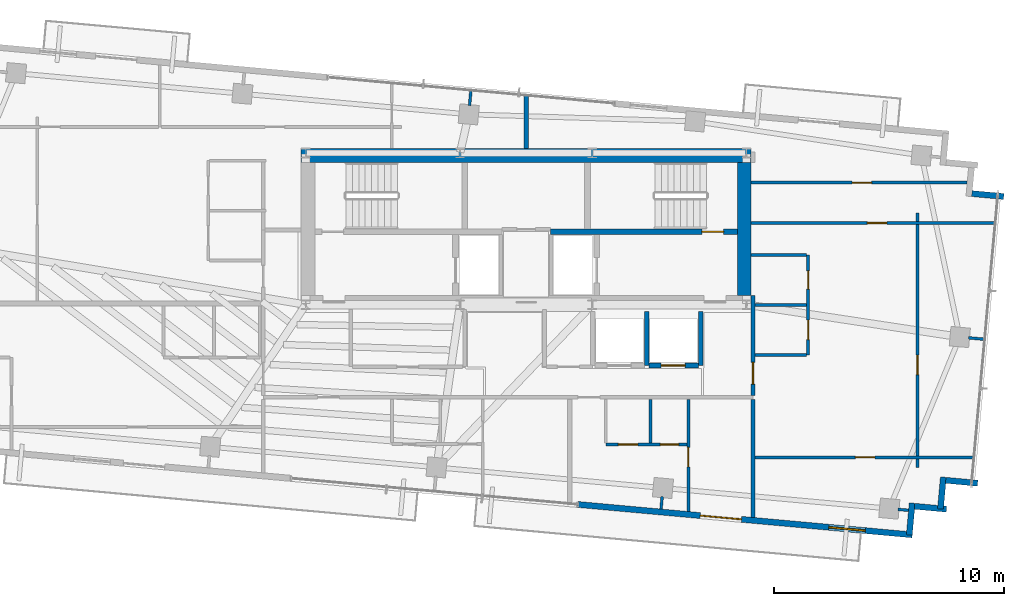
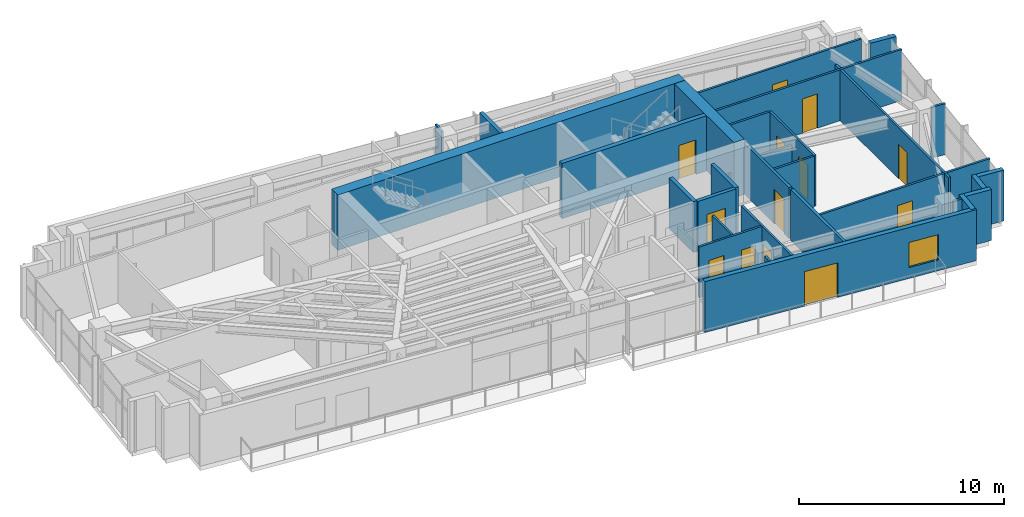
# One storey, part 18 of 22: 32 walls, 13 doors, 1 window, 14 openings.
"""IFC4 building model written with IfcOpenShell, lengths in metres."""

from ifc_helpers import new_model, si_unit, direction, frame, frame_2d, origin, place, context, subcontext, project, spatial, rectangle, extrude, source, transform, mapped, material, layer, layer_set, type_object, type_shapes, element, fill, save


model = new_model("IFC4")

# Units and contexts
model_context = context("Model", 3, precision=1e-05, world=origin(), true_north=direction((0.0, 1.0)))
body_context = subcontext(model_context, "Body", "Model", "MODEL_VIEW")
ifc_project = project(units=[si_unit("LENGTHUNIT", "METRE"), si_unit("AREAUNIT", "SQUARE_METRE"), si_unit("VOLUMEUNIT", "CUBIC_METRE"), si_unit("PLANEANGLEUNIT", "RADIAN"), si_unit("MASSUNIT", "GRAM", prefix="KILO")], contexts=[model_context])

# Site, building, storey
site_placement = place(None, origin())
site = spatial("IfcSite", under=ifc_project, at=site_placement, CompositionType="ELEMENT")
building_placement = place(site_placement, origin())
building = spatial("IfcBuilding", under=site, at=building_placement, Name="Astriad Promenade Condominiums", CompositionType="ELEMENT")
storey_placement = place(building_placement, frame((0.0, 0.0, 229.800048828125)))
storey = spatial("IfcBuildingStorey", under=building, at=storey_placement, Name="L66", CompositionType="ELEMENT", Elevation=229.800048828125)

# Walls
ifc_material_1 = material(Name="Concrete C50/60", Category="concrete")
ifc_layer_1 = layer(ifc_material_1, 0.60009765625)
ifc_layer_set_1 = layer_set([ifc_layer_1], Name="Concrete C50/60")
wall_type_1 = type_object("IfcWallType", Name="CW-SHEAR-600", PredefinedType="SHEAR", material=ifc_layer_set_1)
wall_1_placement = place(storey_placement, frame((26.199951171875, 23.89990234375, 0.0), z_axis=(0.0, 0.0, 1.0), x_axis=(1.0, 0.0, 0.0)))
element("IfcWall", 1, at=wall_1_placement, inside=storey, type_object=wall_type_1, Name="CW-CORE-N-L66", PredefinedType="SHEAR", context=body_context, shape_type="SweptSolid", body=[
    extrude(rectangle(XDim=19.60009765625, YDim=0.60009765625, at=frame_2d((9.800048828125, 0.0))), origin(), (0.0, 0.0, 1.0), 3.300048828125),
])
wall_2_placement = place(storey_placement, frame((45.5, 17.802001953125, 0.0), z_axis=(0.0, 0.0, 1.0), x_axis=(0.0, 1.0, 0.0)))
element("IfcWall", 2, at=wall_2_placement, inside=storey, type_object=wall_type_1, Name="CW-CORE-E-L66", PredefinedType="SHEAR", context=body_context, shape_type="SweptSolid", body=[
    extrude(rectangle(XDim=5.7958984375, YDim=0.60009765625, at=frame_2d((2.89794921875, 0.0))), origin(), (0.0, 0.0, 1.0), 3.300048828125),
])

# Wall, opening, door
ifc_layer_2 = layer(ifc_material_1, 0.25)
ifc_layer_set_2 = layer_set([ifc_layer_2], Name="Concrete C50/60")
wall_type_2 = type_object("IfcWallType", Name="WALL-CORE-INT-250", PredefinedType="SOLIDWALL", material=ifc_layer_set_2)
wall_3_placement = place(storey_placement, frame((37.050048828125, 20.574951171875, 0.0), z_axis=(0.0, 0.0, 1.0), x_axis=(1.0, 0.0, 0.0)))
wall_3 = element("IfcWall", 3, at=wall_3_placement, inside=storey, type_object=wall_type_2, Name="CW-INT-H2-L66", PredefinedType="SOLIDWALL", context=body_context, shape_type="SweptSolid", body=[
    extrude(rectangle(XDim=8.14794921875, YDim=0.25, at=frame_2d((4.073974609375, 0.0))), origin(), (0.0, 0.0, 1.0), 3.300048828125),
])
opening_1_placement = place(wall_3_placement, frame((6.60009765625, 0.0, 0.0)))
opening_1 = element("IfcOpeningElement", 4, at=opening_1_placement, cuts=wall_3, Name="Opening FD90-ST-095", PredefinedType="OPENING", context=body_context, shape_type="SweptSolid", body=[
    extrude(rectangle(XDim=0.949951171875, YDim=2.06005859375, at=frame_2d((0.47509765625, 1.030029296875))), frame((0.0, 0.135009765625, 0.0), z_axis=(0.0, -1.0, 0.0), x_axis=(1.0, 0.0, 0.0)), (0.0, 0.0, 1.0), 0.27001953125),
])
ifc_material_2 = material(Name="Fire-Rated Hollow Metal Stair Door")
door_type_1 = type_object("IfcDoorType", Name="FD90-ST-095", OperationType="NOTDEFINED", PredefinedType="DOOR", material=ifc_material_2)
shared_shape_1 = source(origin(), body_context, "Body", "SweptSolid", [
    extrude(rectangle(XDim=0.949951171875, YDim=2.06005859375, at=frame_2d((0.47509765625, 1.030029296875))), frame((0.0, 0.02490234375, 0.0), z_axis=(0.0, -1.0, 0.0), x_axis=(1.0, 0.0, 0.0)), (0.0, 0.0, 1.0), 0.050048828125),
])
type_shapes(door_type_1, [shared_shape_1])
door_1_placement = place(opening_1_placement, origin())
door_1 = element("IfcDoor", 5, at=door_1_placement, inside=storey, type_object=door_type_1, Name="D-ST2-L66", OperationType="SINGLE_SWING_LEFT", OverallHeight=2.06005859375, OverallWidth=0.949951171875, PredefinedType="DOOR", context=body_context, shape_type="MappedRepresentation", body=[
    mapped(shared_shape_1, transform((0.0, 0.0, 0.0), scale=1.0)),
])
fill(opening_1, door_1)

# Wall
ifc_material_3 = material(Name="Fire-Rated Gypsum Partition")
ifc_layer_3 = layer(ifc_material_3, 0.159912109375)
ifc_layer_set_3 = layer_set([ifc_layer_3], Name="Fire-Rated Gypsum Partition")
wall_type_3 = type_object("IfcWallType", Name="WALL-CORR-160", PredefinedType="PARTITIONING", material=ifc_layer_set_3)
wall_4_placement = place(storey_placement, frame((45.8798828125, 8.135986328125, 0.0), z_axis=(0.0, 0.0, 1.0), x_axis=(0.0, 1.0, 0.0)))
element("IfcWall", 6, at=wall_4_placement, inside=storey, type_object=wall_type_3, Name="PT-COR-E-L66", PredefinedType="PARTITIONING", context=body_context, shape_type="SweptSolid", body=[
    extrude(rectangle(XDim=5.14208984375, YDim=0.159912109375, at=frame_2d((2.571044921875, 0.0))), origin(), (0.0, 0.0, 1.0), 3.0400390625),
])

# Wall, opening, door
wall_5_placement = place(storey_placement, frame((45.8798828125, 13.44189453125, 0.0), z_axis=(0.0, 0.0, 1.0), x_axis=(0.0, 1.0, 0.0)))
wall_5 = element("IfcWall", 7, at=wall_5_placement, inside=storey, type_object=wall_type_3, Name="PT-COR-E-L66-S2", PredefinedType="PARTITIONING", context=body_context, shape_type="SweptSolid", body=[
    extrude(rectangle(XDim=4.360107421875, YDim=0.159912109375, at=frame_2d((2.18017578125, 0.0))), origin(), (0.0, 0.0, 1.0), 3.0400390625),
])
opening_2_placement = place(wall_5_placement, frame((0.492919921875, 0.0, 0.0)))
opening_2 = element("IfcOpeningElement", 8, at=opening_2_placement, cuts=wall_5, Name="Opening FD60-APT-095", PredefinedType="OPENING", context=body_context, shape_type="SweptSolid", body=[
    extrude(rectangle(XDim=0.949951171875, YDim=2.06005859375, at=frame_2d((0.47509765625, 1.030029296875))), frame((0.0, 0.08984375, 0.0), z_axis=(0.0, -1.0, 0.0), x_axis=(1.0, 0.0, 0.0)), (0.0, 0.0, 1.0), 0.179931640625),
])
ifc_material_4 = material(Name="Solid-Core Acoustic Timber Residence Entry Door", Category="wood")
door_type_2 = type_object("IfcDoorType", Name="FD60-APT-095", OperationType="NOTDEFINED", PredefinedType="DOOR", material=ifc_material_4)
shared_shape_2 = source(origin(), body_context, "Body", "SweptSolid", [
    extrude(rectangle(XDim=0.949951171875, YDim=2.06005859375, at=frame_2d((0.47509765625, 1.030029296875))), frame((0.0, 0.02490234375, 0.0), z_axis=(0.0, -1.0, 0.0), x_axis=(1.0, 0.0, 0.0)), (0.0, 0.0, 1.0), 0.050048828125),
])
type_shapes(door_type_2, [shared_shape_2])
door_2_placement = place(opening_2_placement, origin())
door_2 = element("IfcDoor", 9, at=door_2_placement, inside=storey, type_object=door_type_2, Name="D-ENT-L66-E1", OperationType="SINGLE_SWING_LEFT", OverallHeight=2.06005859375, OverallWidth=0.949951171875, PredefinedType="DOOR", context=body_context, shape_type="MappedRepresentation", body=[
    mapped(shared_shape_2, transform((0.0, 0.0, 0.0), scale=1.0)),
])
fill(opening_2, door_2)

# Walls
ifc_material_5 = material(Name="Acoustic Double-Stud Gypsum Partition")
ifc_layer_4 = layer(ifc_material_5, 0.199951171875)
ifc_layer_set_4 = layer_set([ifc_layer_4], Name="Acoustic Double-Stud Gypsum Partition")
wall_type_4 = type_object("IfcWallType", Name="WALL-DEMISING-200", PredefinedType="PARTITIONING", material=ifc_layer_set_4)
wall_6_placement = place(storey_placement, frame((36.0, 24.201904296875, 0.0), z_axis=(0.0, 0.0, 1.0), x_axis=(0.0, 1.0, 0.0)))
element("IfcWall", 10, at=wall_6_placement, inside=storey, type_object=wall_type_4, Name="PT-NC-MID-L66", PredefinedType="PARTITIONING", context=body_context, shape_type="SweptSolid", body=[
    extrude(rectangle(XDim=2.36328125, YDim=0.199951171875, at=frame_2d((1.181640625, 0.0))), origin(), (0.0, 0.0, 1.0), 3.0400390625),
])
ifc_material_6 = material(Name="Precast concrete C50/60", Category="concrete")
ifc_layer_5 = layer(ifc_material_6, 0.260009765625)
ifc_layer_set_5 = layer_set([ifc_layer_5], Name="Precast concrete C50/60")
wall_type_5 = type_object("IfcWallType", Name="WALL-EXT-TWR-260", PredefinedType="STANDARD", material=ifc_layer_set_5)
wall_7_placement = place(storey_placement, frame((55.412109375, 22.238037109375, 0.0), z_axis=(0.0, 0.0, 1.0), x_axis=(0.995883159782, -0.090646191665, 0.0)))
element("IfcWall", 11, at=wall_7_placement, inside=storey, type_object=wall_type_5, Name="W-SER-L66-12", PredefinedType="STANDARD", context=body_context, shape_type="SweptSolid", body=[
    extrude(rectangle(XDim=1.395263671875, YDim=0.260009765625, at=frame_2d((0.69775390625, 0.0))), origin(), (0.0, 0.0, 1.0), 3.0400390625),
])
for number, where, z_axis, x_axis, name in (
    (12, (55.664794921875, 9.623291015625, 0.0), (0.0, 0.0, 1.0), (-0.995881721538, 0.090661991521, 0.0), "W-SER-L66-14"),
    (13, (54.1728515625, 9.889404296875, 0.0), (0.0, 0.0, 1.0), (-0.090661991521, -0.995881721538, 0.0), "W-SER-L66-15"),
):
    element("IfcWall", number, at=place(storey_placement, frame(where, z_axis=z_axis, x_axis=x_axis)), inside=storey, type_object=wall_type_5, Name=name, PredefinedType="STANDARD", context=body_context, shape_type="SweptSolid", body=[
        extrude(rectangle(XDim=1.39501953125, YDim=0.260009765625, at=frame_2d((0.697509765625, 0.0))), origin(), (0.0, 0.0, 1.0), 3.0400390625),
    ])
for number, where, z_axis, x_axis, name in (
    (14, (54.306884765625, 8.49169921875, 0.0), (0.0, 0.0, 1.0), (-0.995883159782, 0.090646191665, 0.0), "W-SER-L66-16"),
    (15, (52.814697265625, 8.758056640625, 0.0), (0.0, 0.0, 1.0), (-0.090646191665, -0.995883159782, 0.0), "W-SER-L66-17"),
):
    element("IfcWall", number, at=place(storey_placement, frame(where, z_axis=z_axis, x_axis=x_axis)), inside=storey, type_object=wall_type_5, Name=name, PredefinedType="STANDARD", context=body_context, shape_type="SweptSolid", body=[
        extrude(rectangle(XDim=1.395263671875, YDim=0.260009765625, at=frame_2d((0.69775390625, 0.0))), origin(), (0.0, 0.0, 1.0), 3.0400390625),
    ])

# Wall, openings, door, window
wall_8_placement = place(storey_placement, frame((52.819091796875, 7.371826171875, 0.0), z_axis=(0.0, 0.0, 1.0), x_axis=(-0.995884447498, 0.090632043071, 0.0)))
wall_8 = element("IfcWall", 16, at=wall_8_placement, inside=storey, type_object=wall_type_5, Name="W-EXT-L66-S1", PredefinedType="STANDARD", context=body_context, shape_type="SweptSolid", body=[
    extrude(rectangle(XDim=14.6298828125, YDim=0.260009765625, at=frame_2d((7.31494140625, 0.0))), origin(), (0.0, 0.0, 1.0), 3.0400390625),
])
opening_3_placement = place(wall_8_placement, frame((7.470947265625, 0.0, 0.0)))
opening_3 = element("IfcOpeningElement", 17, at=opening_3_placement, cuts=wall_8, Name="Opening BD-1822-SLD", PredefinedType="OPENING", context=body_context, shape_type="SweptSolid", body=[
    extrude(rectangle(XDim=1.800048828125, YDim=2.06005859375, at=frame_2d((0.89990234375, 1.030029296875))), frame((0.0, 0.139892578125, 0.0), z_axis=(0.0, -1.0, 0.0), x_axis=(1.0, 0.0, 0.0)), (0.0, 0.0, 1.0), 0.280029296875),
])
opening_4_placement = place(wall_8_placement, frame((2.050048828125, 0.0, 0.64990234375)))
opening_4 = element("IfcOpeningElement", 18, at=opening_4_placement, cuts=wall_8, Name="Opening WIN-TWR-1620", PredefinedType="OPENING", context=body_context, shape_type="SweptSolid", body=[
    extrude(rectangle(XDim=1.60009765625, YDim=1.5, at=frame_2d((0.800048828125, 0.75))), frame((0.0, 0.139892578125, 0.0), z_axis=(0.0, -1.0, 0.0), x_axis=(1.0, 0.0, 0.0)), (0.0, 0.0, 1.0), 0.280029296875),
])
ifc_material_7 = material(Name="Thermally Broken Aluminium Sliding Balcony Door", Category="aluminium")
door_type_3 = type_object("IfcDoorType", Name="BD-1822-SLD", OperationType="NOTDEFINED", PredefinedType="DOOR", material=ifc_material_7)
shared_shape_3 = source(origin(), body_context, "Body", "SweptSolid", [
    extrude(rectangle(XDim=1.800048828125, YDim=2.06005859375, at=frame_2d((0.89990234375, 1.030029296875))), frame((0.0, 0.02490234375, 0.0), z_axis=(0.0, -1.0, 0.0), x_axis=(1.0, 0.0, 0.0)), (0.0, 0.0, 1.0), 0.050048828125),
])
type_shapes(door_type_3, [shared_shape_3])
door_3_placement = place(opening_3_placement, origin())
door_3 = element("IfcDoor", 19, at=door_3_placement, inside=storey, type_object=door_type_3, Name="BD-L66-SE", OperationType="SLIDING_TO_RIGHT", OverallHeight=2.06005859375, OverallWidth=1.800048828125, PredefinedType="DOOR", context=body_context, shape_type="MappedRepresentation", body=[
    mapped(shared_shape_3, transform((0.0, 0.0, 0.0), scale=1.0)),
])
fill(opening_3, door_3)
ifc_material_8 = material(Name="Dark Tinted Triple-Glazed Aluminium Window", Category="aluminium")
window_type = type_object("IfcWindowType", Name="WIN-TWR-1620", PartitioningType="SINGLE_PANEL", PredefinedType="WINDOW", material=ifc_material_8)
shared_shape_4 = source(origin(), body_context, "Body", "SweptSolid", [
    extrude(rectangle(XDim=1.60009765625, YDim=1.5, at=frame_2d((0.800048828125, 0.75))), frame((0.0, 0.030029296875, 0.0), z_axis=(0.0, -1.0, 0.0), x_axis=(1.0, 0.0, 0.0)), (0.0, 0.0, 1.0), 0.06005859375),
])
type_shapes(window_type, [shared_shape_4])
window_placement = place(opening_4_placement, origin())
window = element("IfcWindow", 20, at=window_placement, inside=storey, type_object=window_type, Name="WIN-L66-SE", OverallHeight=1.5, OverallWidth=1.60009765625, PartitioningType="SINGLE_PANEL", PredefinedType="WINDOW", context=body_context, shape_type="MappedRepresentation", body=[
    mapped(shared_shape_4, transform((0.0, 0.0, 0.0), scale=1.0)),
])
fill(opening_4, window)

# Wall, opening, door
ifc_material_9 = material(Name="Acoustic Metal-Stud Gypsum Partition")
ifc_layer_6 = layer(ifc_material_9, 0.1201171875)
ifc_layer_set_6 = layer_set([ifc_layer_6], Name="Acoustic Metal-Stud Gypsum Partition")
wall_type_6 = type_object("IfcWallType", Name="WALL-PART-120", PredefinedType="PARTITIONING", material=ifc_layer_set_6)
wall_9_placement = place(storey_placement, frame((43.068115234375, 8.391845703125, 0.0), z_axis=(0.0, 0.0, 1.0), x_axis=(0.0, 1.0, 0.0)))
wall_9 = element("IfcWall", 21, at=wall_9_placement, inside=storey, type_object=wall_type_6, Name="PT-L66-S2-V1", PredefinedType="PARTITIONING", context=body_context, shape_type="SweptSolid", body=[
    extrude(rectangle(XDim=4.88623046875, YDim=0.1201171875, at=frame_2d((2.443115234375, 0.0))), origin(), (0.0, 0.0, 1.0), 3.0400390625),
])
opening_5_placement = place(wall_9_placement, frame((1.93994140625, 0.0, 0.0)))
opening_5 = element("IfcOpeningElement", 22, at=opening_5_placement, cuts=wall_9, Name="Opening D-INT-085", PredefinedType="OPENING", context=body_context, shape_type="SweptSolid", body=[
    extrude(rectangle(XDim=0.85009765625, YDim=2.050048828125, at=frame_2d((0.425048828125, 1.02490234375))), frame((0.0, 0.070068359375, 0.0), z_axis=(0.0, -1.0, 0.0), x_axis=(1.0, 0.0, 0.0)), (0.0, 0.0, 1.0), 0.14013671875),
])
ifc_material_10 = material(Name="Painted Solid-Core Timber Room Door", Category="wood")
door_type_4 = type_object("IfcDoorType", Name="D-INT-085", OperationType="NOTDEFINED", PredefinedType="DOOR", material=ifc_material_10)
shared_shape_5 = source(origin(), body_context, "Body", "SweptSolid", [
    extrude(rectangle(XDim=0.85009765625, YDim=2.050048828125, at=frame_2d((0.425048828125, 1.02490234375))), frame((0.0, 0.02490234375, 0.0), z_axis=(0.0, -1.0, 0.0), x_axis=(1.0, 0.0, 0.0)), (0.0, 0.0, 1.0), 0.050048828125),
])
type_shapes(door_type_4, [shared_shape_5])
door_4_placement = place(opening_5_placement, origin())
door_4 = element("IfcDoor", 23, at=door_4_placement, inside=storey, type_object=door_type_4, Name="D-BD1-L66-S2", OperationType="SINGLE_SWING_RIGHT", OverallHeight=2.050048828125, OverallWidth=0.85009765625, PredefinedType="DOOR", context=body_context, shape_type="MappedRepresentation", body=[
    mapped(shared_shape_5, transform((0.0, 0.0, 0.0), scale=1.0)),
])
fill(opening_5, door_4)

# Wall, openings, doors
wall_10_placement = place(storey_placement, frame((39.468017578125, 11.31005859375, 0.0), z_axis=(0.0, 0.0, 1.0), x_axis=(1.0, 0.0, 0.0)))
wall_10 = element("IfcWall", 24, at=wall_10_placement, inside=storey, type_object=wall_type_6, Name="PT-L66-S2-PS", PredefinedType="PARTITIONING", context=body_context, shape_type="SweptSolid", body=[
    extrude(rectangle(XDim=3.5380859375, YDim=0.1201171875, at=frame_2d((1.76904296875, 0.0))), origin(), (0.0, 0.0, 1.0), 3.0400390625),
])
opening_6_placement = place(wall_10_placement, frame((0.550048828125, 0.0, 0.0)))
opening_6 = element("IfcOpeningElement", 25, at=opening_6_placement, cuts=wall_10, Name="Opening D-INT-085", PredefinedType="OPENING", context=body_context, shape_type="SweptSolid", body=[
    extrude(rectangle(XDim=0.85009765625, YDim=2.050048828125, at=frame_2d((0.425048828125, 1.02490234375))), frame((0.0, 0.070068359375, 0.0), z_axis=(0.0, -1.0, 0.0), x_axis=(1.0, 0.0, 0.0)), (0.0, 0.0, 1.0), 0.14013671875),
])
opening_7_placement = place(wall_10_placement, frame((2.375, 0.0, 0.0)))
opening_7 = element("IfcOpeningElement", 26, at=opening_7_placement, cuts=wall_10, Name="Opening D-WET-080", PredefinedType="OPENING", context=body_context, shape_type="SweptSolid", body=[
    extrude(rectangle(XDim=0.800048828125, YDim=2.02001953125, at=frame_2d((0.39990234375, 1.010009765625))), frame((0.0, 0.070068359375, 0.0), z_axis=(0.0, -1.0, 0.0), x_axis=(1.0, 0.0, 0.0)), (0.0, 0.0, 1.0), 0.14013671875),
])
ifc_material_11 = material(Name="Moisture-Resistant Timber Bathroom Door", Category="wood")
door_type_5 = type_object("IfcDoorType", Name="D-WET-080", OperationType="NOTDEFINED", PredefinedType="DOOR", material=ifc_material_11)
shared_shape_6 = source(origin(), body_context, "Body", "SweptSolid", [
    extrude(rectangle(XDim=0.800048828125, YDim=2.02001953125, at=frame_2d((0.39990234375, 1.010009765625))), frame((0.0, 0.02490234375, 0.0), z_axis=(0.0, -1.0, 0.0), x_axis=(1.0, 0.0, 0.0)), (0.0, 0.0, 1.0), 0.050048828125),
])
type_shapes(door_type_5, [shared_shape_6])
door_5_placement = place(opening_7_placement, origin())
door_5 = element("IfcDoor", 27, at=door_5_placement, inside=storey, type_object=door_type_5, Name="D-BTH-L66-S2", OperationType="SINGLE_SWING_RIGHT", OverallHeight=2.02001953125, OverallWidth=0.800048828125, PredefinedType="DOOR", context=body_context, shape_type="MappedRepresentation", body=[
    mapped(shared_shape_6, transform((0.0, 0.0, 0.0), scale=1.0)),
])
fill(opening_7, door_5)
door_6_placement = place(opening_6_placement, origin())
door_6 = element("IfcDoor", 28, at=door_6_placement, inside=storey, type_object=door_type_4, Name="D-KIT-L66-S2", OperationType="SINGLE_SWING_LEFT", OverallHeight=2.050048828125, OverallWidth=0.85009765625, PredefinedType="DOOR", context=body_context, shape_type="MappedRepresentation", body=[
    mapped(shared_shape_5, transform((0.0, 0.0, 0.0), scale=1.0)),
])
fill(opening_6, door_6)

# Wall
wall_11_placement = place(storey_placement, frame((41.41796875, 11.3720703125, 0.0), z_axis=(0.0, 0.0, 1.0), x_axis=(0.0, 1.0, 0.0)))
element("IfcWall", 29, at=wall_11_placement, inside=storey, type_object=wall_type_6, Name="PT-L66-S2-PB", PredefinedType="PARTITIONING", context=body_context, shape_type="SweptSolid", body=[
    extrude(rectangle(XDim=1.906005859375, YDim=0.1201171875, at=frame_2d((0.953125, 0.0))), origin(), (0.0, 0.0, 1.0), 3.0400390625),
])

# Wall, openings, doors
wall_12_placement = place(storey_placement, frame((48.280029296875, 15.2099609375, 0.0), z_axis=(0.0, 0.0, 1.0), x_axis=(0.0, 1.0, 0.0)))
wall_12 = element("IfcWall", 30, at=wall_12_placement, inside=storey, type_object=wall_type_6, Name="PT-L66-E1-PV", PredefinedType="PARTITIONING", context=body_context, shape_type="SweptSolid", body=[
    extrude(rectangle(XDim=4.35009765625, YDim=0.1201171875, at=frame_2d((2.175048828125, 0.0))), origin(), (0.0, 0.0, 1.0), 3.0400390625),
])
opening_8_placement = place(wall_12_placement, frame((0.662109375, 0.0, 0.0)))
opening_8 = element("IfcOpeningElement", 31, at=opening_8_placement, cuts=wall_12, Name="Opening D-INT-085", PredefinedType="OPENING", context=body_context, shape_type="SweptSolid", body=[
    extrude(rectangle(XDim=0.85009765625, YDim=2.050048828125, at=frame_2d((0.425048828125, 1.02490234375))), frame((0.0, 0.070068359375, 0.0), z_axis=(0.0, -1.0, 0.0), x_axis=(1.0, 0.0, 0.0)), (0.0, 0.0, 1.0), 0.14013671875),
])
opening_9_placement = place(wall_12_placement, frame((2.863037109375, 0.0, 0.0)))
opening_9 = element("IfcOpeningElement", 32, at=opening_9_placement, cuts=wall_12, Name="Opening D-WET-080", PredefinedType="OPENING", context=body_context, shape_type="SweptSolid", body=[
    extrude(rectangle(XDim=0.800048828125, YDim=2.02001953125, at=frame_2d((0.39990234375, 1.010009765625))), frame((0.0, 0.070068359375, 0.0), z_axis=(0.0, -1.0, 0.0), x_axis=(1.0, 0.0, 0.0)), (0.0, 0.0, 1.0), 0.14013671875),
])
door_7_placement = place(opening_9_placement, origin())
door_7 = element("IfcDoor", 33, at=door_7_placement, inside=storey, type_object=door_type_5, Name="D-BTH-L66-E1", OperationType="SINGLE_SWING_LEFT", OverallHeight=2.02001953125, OverallWidth=0.800048828125, PredefinedType="DOOR", context=body_context, shape_type="MappedRepresentation", body=[
    mapped(shared_shape_6, transform((0.0, 0.0, 0.0), scale=1.0)),
])
fill(opening_9, door_7)
door_8_placement = place(opening_8_placement, origin())
door_8 = element("IfcDoor", 34, at=door_8_placement, inside=storey, type_object=door_type_4, Name="D-KIT-L66-E1", OperationType="SINGLE_SWING_RIGHT", OverallHeight=2.050048828125, OverallWidth=0.85009765625, PredefinedType="DOOR", context=body_context, shape_type="MappedRepresentation", body=[
    mapped(shared_shape_5, transform((0.0, 0.0, 0.0), scale=1.0)),
])
fill(opening_8, door_8)

# Walls
wall_13_placement = place(storey_placement, frame((45.9619140625, 17.385009765625, 0.0), z_axis=(0.0, 0.0, 1.0), x_axis=(1.0, 0.0, 0.0)))
element("IfcWall", 35, at=wall_13_placement, inside=storey, type_object=wall_type_6, Name="PT-L66-E1-PM", PredefinedType="PARTITIONING", context=body_context, shape_type="SweptSolid", body=[
    extrude(rectangle(XDim=2.256103515625, YDim=0.1201171875, at=frame_2d((1.1279296875, 0.0))), origin(), (0.0, 0.0, 1.0), 2.38134765625),
])
wall_14_placement = place(storey_placement, frame((45.9619140625, 15.2099609375, 0.0), z_axis=(0.0, 0.0, 1.0), x_axis=(1.0, 0.0, 0.0)))
element("IfcWall", 36, at=wall_14_placement, inside=storey, type_object=wall_type_6, Name="PT-L66-E1-PS", PredefinedType="PARTITIONING", context=body_context, shape_type="SweptSolid", body=[
    extrude(rectangle(XDim=2.256103515625, YDim=0.1201171875, at=frame_2d((1.1279296875, 0.0))), origin(), (0.0, 0.0, 1.0), 3.0400390625),
])
wall_15_placement = place(storey_placement, frame((45.802001953125, 19.56005859375, 0.0), z_axis=(0.0, 0.0, 1.0), x_axis=(1.0, 0.0, 0.0)))
element("IfcWall", 37, at=wall_15_placement, inside=storey, type_object=wall_type_6, Name="PT-L66-E1-PN", PredefinedType="PARTITIONING", context=body_context, shape_type="SweptSolid", body=[
    extrude(rectangle(XDim=2.416015625, YDim=0.1201171875, at=frame_2d((1.2080078125, 0.0))), origin(), (0.0, 0.0, 1.0), 3.0400390625),
])

# Wall, opening, door
wall_16_placement = place(storey_placement, frame((45.802001953125, 22.717041015625, 0.0), z_axis=(0.0, 0.0, 1.0), x_axis=(1.0, 0.0, 0.0)))
wall_16 = element("IfcWall", 38, at=wall_16_placement, inside=storey, type_object=wall_type_6, Name="PT-L66-E1-WDN1", PredefinedType="PARTITIONING", context=body_context, shape_type="SweptSolid", body=[
    extrude(rectangle(XDim=9.40576171875, YDim=0.1201171875, at=frame_2d((4.702880859375, 0.0))), origin(), (0.0, 0.0, 1.0), 3.0400390625),
])
opening_10_placement = place(wall_16_placement, frame((4.39697265625, 0.0, 0.0)))
opening_10 = element("IfcOpeningElement", 39, at=opening_10_placement, cuts=wall_16, Name="Opening D-INT-085", PredefinedType="OPENING", context=body_context, shape_type="SweptSolid", body=[
    extrude(rectangle(XDim=0.85009765625, YDim=2.050048828125, at=frame_2d((0.425048828125, 1.02490234375))), frame((0.0, 0.070068359375, 0.0), z_axis=(0.0, -1.0, 0.0), x_axis=(1.0, 0.0, 0.0)), (0.0, 0.0, 1.0), 0.14013671875),
])
door_9_placement = place(opening_10_placement, origin())
door_9 = element("IfcDoor", 40, at=door_9_placement, inside=storey, type_object=door_type_4, Name="D-WDN1-L66-E1", OperationType="SINGLE_SWING_RIGHT", OverallHeight=2.050048828125, OverallWidth=0.85009765625, PredefinedType="DOOR", context=body_context, shape_type="MappedRepresentation", body=[
    mapped(shared_shape_5, transform((0.0, 0.0, 0.0), scale=1.0)),
])
fill(opening_10, door_9)

wall_17_placement = place(storey_placement, frame((45.9619140625, 10.74609375, 0.0), z_axis=(0.0, 0.0, 1.0), x_axis=(1.0, 0.0, 0.0)))
wall_17 = element("IfcWall", 41, at=wall_17_placement, inside=storey, type_object=wall_type_6, Name="PT-L66-E1-WDS2", PredefinedType="PARTITIONING", context=body_context, shape_type="SweptSolid", body=[
    extrude(rectangle(XDim=9.59423828125, YDim=0.1201171875, at=frame_2d((4.797119140625, 0.0))), origin(), (0.0, 0.0, 1.0), 3.0400390625),
])
opening_11_placement = place(wall_17_placement, frame((4.3779296875, 0.0, 0.0)))
opening_11 = element("IfcOpeningElement", 42, at=opening_11_placement, cuts=wall_17, Name="Opening D-INT-085", PredefinedType="OPENING", context=body_context, shape_type="SweptSolid", body=[
    extrude(rectangle(XDim=0.85009765625, YDim=2.050048828125, at=frame_2d((0.425048828125, 1.02490234375))), frame((0.0, 0.070068359375, 0.0), z_axis=(0.0, -1.0, 0.0), x_axis=(1.0, 0.0, 0.0)), (0.0, 0.0, 1.0), 0.14013671875),
])
door_10_placement = place(opening_11_placement, origin())
door_10 = element("IfcDoor", 43, at=door_10_placement, inside=storey, type_object=door_type_4, Name="D-WDS2-L66-E1", OperationType="SINGLE_SWING_LEFT", OverallHeight=2.050048828125, OverallWidth=0.85009765625, PredefinedType="DOOR", context=body_context, shape_type="MappedRepresentation", body=[
    mapped(shared_shape_5, transform((0.0, 0.0, 0.0), scale=1.0)),
])
fill(opening_11, door_10)

wall_18_placement = place(storey_placement, frame((45.802001953125, 20.9541015625, 0.0), z_axis=(0.0, 0.0, 1.0), x_axis=(1.0, 0.0, 0.0)))
wall_18 = element("IfcWall", 44, at=wall_18_placement, inside=storey, type_object=wall_type_6, Name="PT-L66-E1-WDN3", PredefinedType="PARTITIONING", context=body_context, shape_type="SweptSolid", body=[
    extrude(rectangle(XDim=10.68310546875, YDim=0.1201171875, at=frame_2d((5.341552734375, 0.0))), origin(), (0.0, 0.0, 1.0), 3.0400390625),
])
opening_12_placement = place(wall_18_placement, frame((5.06201171875, 0.0, 0.0)))
opening_12 = element("IfcOpeningElement", 45, at=opening_12_placement, cuts=wall_18, Name="Opening D-INT-085", PredefinedType="OPENING", context=body_context, shape_type="SweptSolid", body=[
    extrude(rectangle(XDim=0.85009765625, YDim=2.050048828125, at=frame_2d((0.425048828125, 1.02490234375))), frame((0.0, 0.070068359375, 0.0), z_axis=(0.0, -1.0, 0.0), x_axis=(1.0, 0.0, 0.0)), (0.0, 0.0, 1.0), 0.14013671875),
])
door_11_placement = place(opening_12_placement, origin())
door_11 = element("IfcDoor", 46, at=door_11_placement, inside=storey, type_object=door_type_4, Name="D-WDN3-L66-E1", OperationType="SINGLE_SWING_RIGHT", OverallHeight=2.050048828125, OverallWidth=0.85009765625, PredefinedType="DOOR", context=body_context, shape_type="MappedRepresentation", body=[
    mapped(shared_shape_5, transform((0.0, 0.0, 0.0), scale=1.0)),
])
fill(opening_12, door_11)

# Wall
wall_19_placement = place(storey_placement, frame((53.047119140625, 10.305908203125, 0.0), z_axis=(0.0, 0.0, 1.0), x_axis=(0.0, 1.0, 0.0)))
element("IfcWall", 47, at=wall_19_placement, inside=storey, type_object=wall_type_6, Name="PT-L66-E1-WDV4", PredefinedType="PARTITIONING", context=body_context, shape_type="SweptSolid", body=[
    extrude(rectangle(XDim=0.378173828125, YDim=0.1201171875, at=frame_2d((0.18896484375, 0.0))), origin(), (0.0, 0.0, 1.0), 3.0400390625),
])

# Wall, opening, door
wall_20_placement = place(storey_placement, frame((53.047119140625, 10.80810546875, 0.0), z_axis=(0.0, 0.0, 1.0), x_axis=(0.0, 1.0, 0.0)))
wall_20 = element("IfcWall", 48, at=wall_20_placement, inside=storey, type_object=wall_type_6, Name="PT-L66-E1-WDV4-S2", PredefinedType="PARTITIONING", context=body_context, shape_type="SweptSolid", body=[
    extrude(rectangle(XDim=10.083984375, YDim=0.1201171875, at=frame_2d((5.0419921875, 0.0))), origin(), (0.0, 0.0, 1.0), 3.0400390625),
])
opening_13_placement = place(wall_20_placement, frame((3.5400390625, 0.0, 0.0)))
opening_13 = element("IfcOpeningElement", 49, at=opening_13_placement, cuts=wall_20, Name="Opening D-INT-085", PredefinedType="OPENING", context=body_context, shape_type="SweptSolid", body=[
    extrude(rectangle(XDim=0.85009765625, YDim=2.050048828125, at=frame_2d((0.425048828125, 1.02490234375))), frame((0.0, 0.070068359375, 0.0), z_axis=(0.0, -1.0, 0.0), x_axis=(1.0, 0.0, 0.0)), (0.0, 0.0, 1.0), 0.14013671875),
])
door_12_placement = place(opening_13_placement, origin())
door_12 = element("IfcDoor", 50, at=door_12_placement, inside=storey, type_object=door_type_4, Name="D-WDV4-L66-E1", OperationType="SINGLE_SWING_LEFT", OverallHeight=2.050048828125, OverallWidth=0.85009765625, PredefinedType="DOOR", context=body_context, shape_type="MappedRepresentation", body=[
    mapped(shared_shape_5, transform((0.0, 0.0, 0.0), scale=1.0)),
])
fill(opening_13, door_12)

# Walls
wall_21_placement = place(storey_placement, frame((53.047119140625, 21.01611328125, 0.0), z_axis=(0.0, 0.0, 1.0), x_axis=(0.0, 1.0, 0.0)))
element("IfcWall", 51, at=wall_21_placement, inside=storey, type_object=wall_type_6, Name="PT-L66-E1-WDV4-S3", PredefinedType="PARTITIONING", context=body_context, shape_type="SweptSolid", body=[
    extrude(rectangle(XDim=0.3779296875, YDim=0.1201171875, at=frame_2d((0.18896484375, 0.0))), origin(), (0.0, 0.0, 1.0), 3.0400390625),
])
wall_22_placement = place(storey_placement, frame((41.92529296875, 9.0361328125, 0.0), z_axis=(0.0, 0.0, 1.0), x_axis=(-0.090740281653, -0.995874591144, 0.0)))
element("IfcWall", 52, at=wall_22_placement, inside=storey, type_object=wall_type_6, Name="PT-PIL-L66-PC04-11", PredefinedType="PARTITIONING", context=body_context, shape_type="SweptSolid", body=[
    extrude(rectangle(XDim=0.5380859375, YDim=0.1201171875, at=frame_2d((0.26904296875, 0.0))), origin(), (0.0, 0.0, 1.0), 3.0400390625),
])
wall_23_placement = place(storey_placement, frame((52.197265625, 8.48291015625, 0.0), z_axis=(0.0, 0.0, 1.0), x_axis=(0.995884462012, -0.090631883588, 0.0)))
element("IfcWall", 53, at=wall_23_placement, inside=storey, type_object=wall_type_6, Name="PT-PIL-L66-PC05-12", PredefinedType="PARTITIONING", context=body_context, shape_type="SweptSolid", body=[
    extrude(rectangle(XDim=0.4580078125, YDim=0.1201171875, at=frame_2d((0.22900390625, 0.0))), origin(), (0.0, 0.0, 1.0), 3.0400390625),
])
wall_24_placement = place(storey_placement, frame((33.5341796875, 26.066650390625, 0.0), z_axis=(0.0, 0.0, 1.0), x_axis=(0.090535746043, 0.995893206468, 0.0)))
element("IfcWall", 54, at=wall_24_placement, inside=storey, type_object=wall_type_6, Name="PT-PIL-L66-PC08-15", PredefinedType="PARTITIONING", context=body_context, shape_type="SweptSolid", body=[
    extrude(rectangle(XDim=0.719970703125, YDim=0.1201171875, at=frame_2d((0.35986328125, 0.0))), origin(), (0.0, 0.0, 1.0), 3.0400390625),
])
wall_25_placement = place(storey_placement, frame((55.26708984375, 15.955322265625, 0.0), z_axis=(0.0, 0.0, 1.0), x_axis=(0.995887938321, -0.09059367697, 0.0)))
element("IfcWall", 55, at=wall_25_placement, inside=storey, type_object=wall_type_6, Name="PT-PIL-L66-PC12-19", PredefinedType="PARTITIONING", context=body_context, shape_type="SweptSolid", body=[
    extrude(rectangle(XDim=0.760009765625, YDim=0.1201171875, at=frame_2d((0.3798828125, 0.0))), origin(), (0.0, 0.0, 1.0), 3.0400390625),
])
ifc_material_12 = material(Name="Gypsum Shaftliner Assembly")
ifc_layer_7 = layer(ifc_material_12, 0.199951171875)
ifc_layer_set_7 = layer_set([ifc_layer_7], Name="Gypsum Shaftliner Assembly")
wall_type_7 = type_object("IfcWallType", Name="WALL-SHAFT-200", PredefinedType="PARTITIONING", material=ifc_layer_set_7)
for number, where, z_axis, x_axis, name in (
    (56, (41.25, 14.75, 0.0), (0.0, 0.0, 1.0), (0.0, 1.0, 0.0), "PL-H-DIV-L66"),
    (57, (43.60009765625, 14.75, 0.0), (0.0, 0.0, 1.0), (0.0, 1.0, 0.0), "PL-E-OUT-L66"),
):
    element("IfcWall", number, at=place(storey_placement, frame(where, z_axis=z_axis, x_axis=x_axis)), inside=storey, type_object=wall_type_7, Name=name, PredefinedType="PARTITIONING", context=body_context, shape_type="SweptSolid", body=[
        extrude(rectangle(XDim=2.35009765625, YDim=0.199951171875, at=frame_2d((1.175048828125, 0.0))), origin(), (0.0, 0.0, 1.0), 3.0400390625),
    ])

# Wall, opening, door
wall_26_placement = place(storey_placement, frame((41.35205078125, 14.75, 0.0), z_axis=(0.0, 0.0, 1.0), x_axis=(1.0, 0.0, 0.0)))
wall_26 = element("IfcWall", 58, at=wall_26_placement, inside=storey, type_object=wall_type_7, Name="PL-H-FRT-L66-S2", PredefinedType="PARTITIONING", context=body_context, shape_type="SweptSolid", body=[
    extrude(rectangle(XDim=2.14599609375, YDim=0.199951171875, at=frame_2d((1.072998046875, 0.0))), origin(), (0.0, 0.0, 1.0), 3.0400390625),
])
opening_14_placement = place(wall_26_placement, frame((0.52294921875, 0.0, 0.0)))
opening_14 = element("IfcOpeningElement", 59, at=opening_14_placement, cuts=wall_26, Name="Opening LD-PL-10522", PredefinedType="OPENING", context=body_context, shape_type="SweptSolid", body=[
    extrude(rectangle(XDim=1.050048828125, YDim=2.080078125, at=frame_2d((0.52490234375, 1.0400390625))), frame((0.0, 0.10986328125, 0.0), z_axis=(0.0, -1.0, 0.0), x_axis=(1.0, 0.0, 0.0)), (0.0, 0.0, 1.0), 0.219970703125),
])
ifc_material_13 = material(Name="Brushed Bronze Passenger Elevator Landing Door")
door_type_6 = type_object("IfcDoorType", Name="LD-PL-10522", OperationType="NOTDEFINED", PredefinedType="DOOR", material=ifc_material_13)
shared_shape_7 = source(origin(), body_context, "Body", "SweptSolid", [
    extrude(rectangle(XDim=1.050048828125, YDim=2.080078125, at=frame_2d((0.52490234375, 1.0400390625))), frame((0.0, 0.02490234375, 0.0), z_axis=(0.0, -1.0, 0.0), x_axis=(1.0, 0.0, 0.0)), (0.0, 0.0, 1.0), 0.050048828125),
])
type_shapes(door_type_6, [shared_shape_7])
door_13_placement = place(opening_14_placement, origin())
door_13 = element("IfcDoor", 60, at=door_13_placement, inside=storey, type_object=door_type_6, Name="Elevator Landing Door PL-H2 (L66)", OperationType="SLIDING_TO_RIGHT", OverallHeight=2.080078125, OverallWidth=1.050048828125, PredefinedType="DOOR", context=body_context, shape_type="MappedRepresentation", body=[
    mapped(shared_shape_7, transform((0.0, 0.0, 0.0), scale=1.0)),
])
fill(opening_14, door_13)

save(model, "model.ifc")
